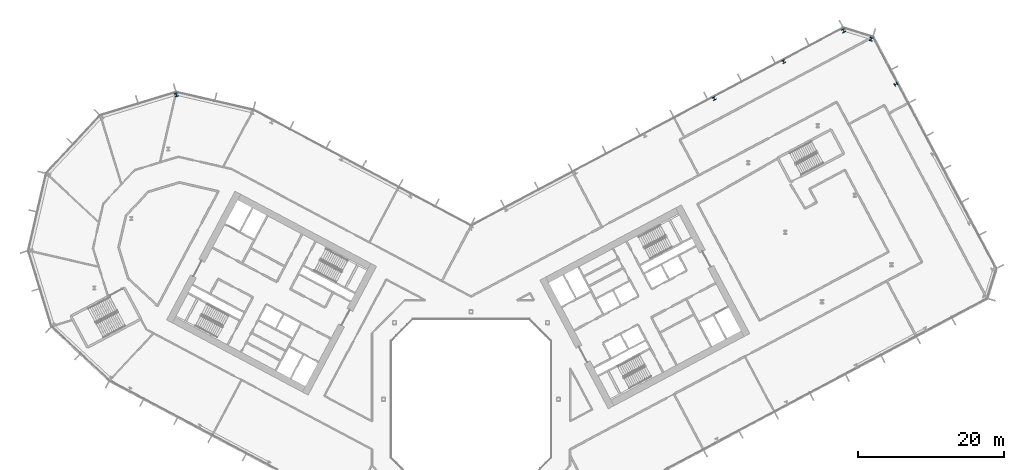
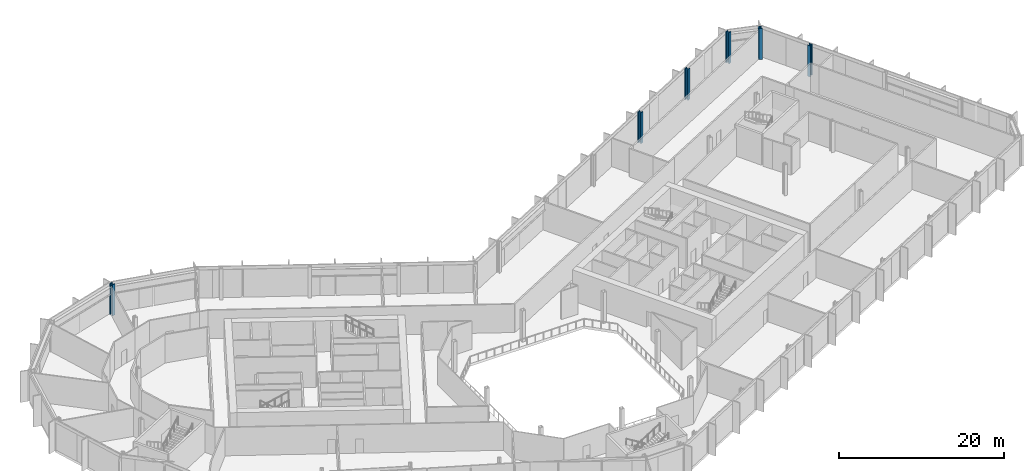
# One storey, part 5 of 30: 6 columns.
"""IFC4 building model written with IfcOpenShell, lengths in metres."""

from ifc_helpers import new_model, si_unit, direction, frame, origin, origin_2d, place, context, subcontext, project, spatial, i_section, extrude, material, material_profile, profile_set, type_object, element, save


model = new_model("IFC4")

# Units and contexts
model_context = context("Model", 3, precision=1e-05, world=origin(), true_north=direction((0.0, 1.0)))
body_context = subcontext(model_context, "Body", "Model", "MODEL_VIEW")
ifc_project = project(units=[si_unit("LENGTHUNIT", "METRE"), si_unit("AREAUNIT", "SQUARE_METRE"), si_unit("VOLUMEUNIT", "CUBIC_METRE"), si_unit("PLANEANGLEUNIT", "RADIAN"), si_unit("MASSUNIT", "GRAM", prefix="KILO")], contexts=[model_context])

# Site, building, storey
site_placement = place(None, origin())
site = spatial("IfcSite", under=ifc_project, at=site_placement, CompositionType="ELEMENT")
building_placement = place(site_placement, origin())
building = spatial("IfcBuilding", under=site, at=building_placement, Name="Cormorant Relay Tower", CompositionType="ELEMENT")
storey_placement = place(building_placement, frame((0.0, 0.0, 80.0)))
storey = spatial("IfcBuildingStorey", under=building, at=storey_placement, Name="L15", CompositionType="ELEMENT", Elevation=80.0)

# Columns
ifc_material_1 = material(Name="Steel ASTM A992 (Fy 345 MPa)", Category="steel")
ifc_material_profile_1 = material_profile(ifc_material_1, i_section(OverallWidth=0.42431640625, OverallDepth=0.47509765625, WebThickness=0.0478515625, FlangeThickness=0.0771484375, FilletRadius=0.014892578125, at=origin_2d()), Name="W360x634")
ifc_profile_set_1 = profile_set([ifc_material_profile_1], Name="Steel ASTM A992 (Fy 345 MPa)")
column_type_1 = type_object("IfcColumnType", Name="Column W360x634", PredefinedType="COLUMN", material=ifc_profile_set_1)
for number, where, z_axis, x_axis, name in (
    (1, (33.342041015625, 41.239990234375, 0.0), (0.0, 0.0, 1.0), (-0.882947592859, -0.469471562786, 0.0), "Column L15-049"),
    (2, (58.2900390625, 43.22509765625, 0.0), (0.0, 0.0, 1.0), (-0.469471562786, 0.882947592859, 0.0), "Column L15-051"),
    (3, (42.876953125, 46.31005859375, 0.0), (0.0, 0.0, 1.0), (-0.882947592859, -0.469471562786, 0.0), "Column L15-052"),
):
    element("IfcColumn", number, at=place(storey_placement, frame(where, z_axis=z_axis, x_axis=x_axis)), inside=storey, type_object=column_type_1, Name=name, PredefinedType="COLUMN", context=body_context, shape_type="SweptSolid", body=[
        extrude(i_section(OverallWidth=0.42431640625, OverallDepth=0.47509765625, WebThickness=0.0478515625, FlangeThickness=0.0771484375, FilletRadius=0.014892578125, at=origin_2d()), origin(), (0.0, 0.0, 1.0), 4.60009765625),
    ])
ifc_material_2 = material(Name="Steel ASTM A992 (Fy 345 MPa)", Category="steel")
ifc_material_profile_2 = material_profile(ifc_material_2, i_section(OverallWidth=0.43701171875, OverallDepth=0.51318359375, WebThickness=0.060546875, FlangeThickness=0.096923828125, FilletRadius=0.015380859375, at=origin_2d()), Name="W360x818")
ifc_profile_set_2 = profile_set([ifc_material_profile_2], Name="Steel ASTM A992 (Fy 345 MPa)")
column_type_2 = type_object("IfcColumnType", Name="Column W360x818", PredefinedType="COLUMN", material=ifc_profile_set_2)
for number, where, z_axis, x_axis, name in (
    (4, (-40.452880859375, 41.763916015625, 0.0), (0.0, 0.0, 1.0), (-0.956304755963, -0.292371704723, 0.0), "Column L15-050"),
    (5, (54.885986328125, 49.409912109375, 0.0), (0.0, 0.0, 1.0), (-0.956304755963, 0.292371704723, 0.0), "Column L15-053"),
    (6, (51.10009765625, 50.56689453125, 0.0), (0.0, 0.0, 1.0), (-0.882947592859, -0.469471562786, 0.0), "Column L15-054"),
):
    element("IfcColumn", number, at=place(storey_placement, frame(where, z_axis=z_axis, x_axis=x_axis)), inside=storey, type_object=column_type_2, Name=name, PredefinedType="COLUMN", context=body_context, shape_type="SweptSolid", body=[
        extrude(i_section(OverallWidth=0.43701171875, OverallDepth=0.51318359375, WebThickness=0.060546875, FlangeThickness=0.096923828125, FilletRadius=0.015380859375, at=origin_2d()), origin(), (0.0, 0.0, 1.0), 4.60009765625),
    ])

save(model, "model.ifc")
